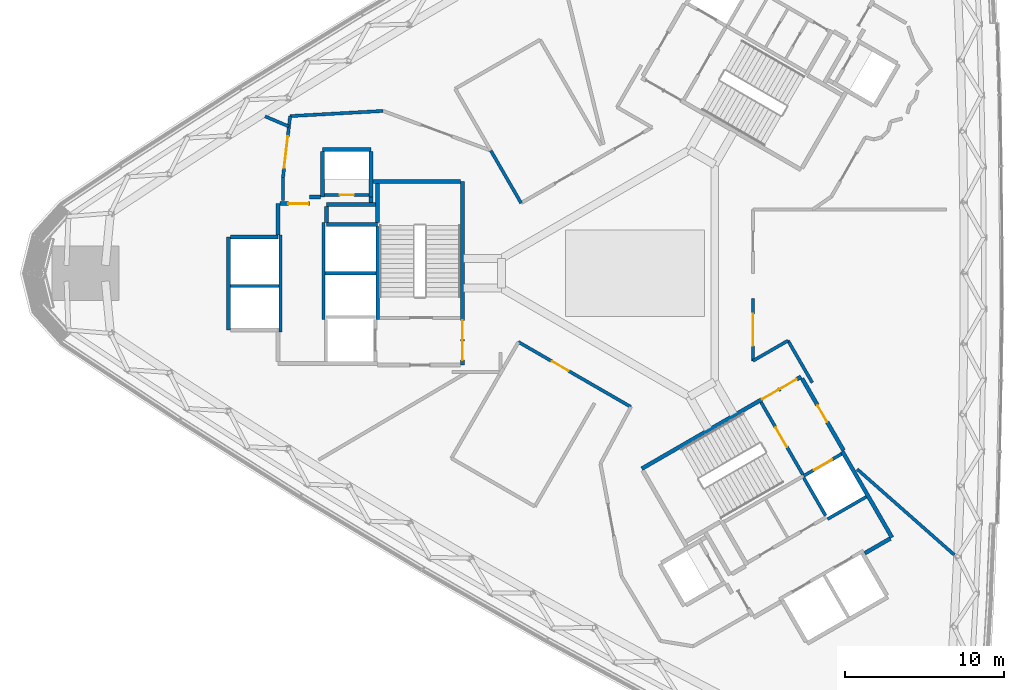
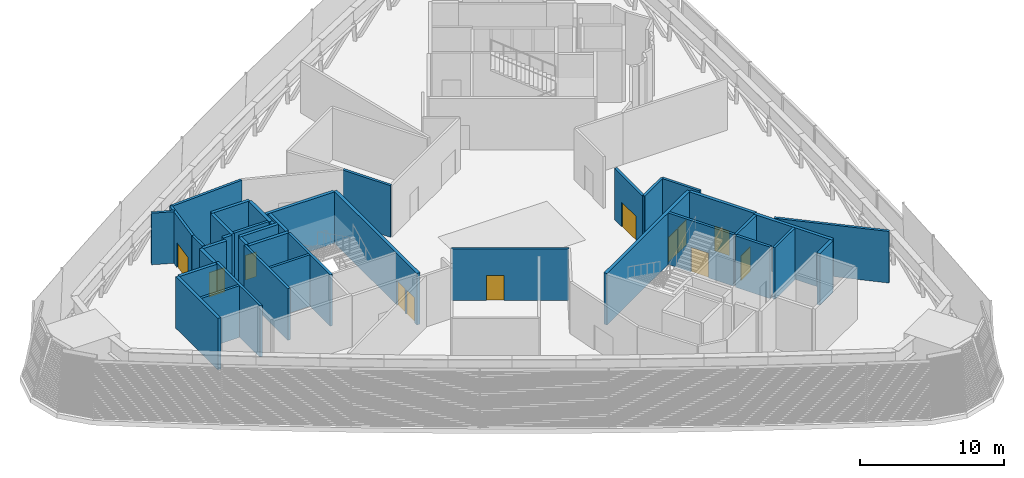
# One storey, part 13 of 19: 39 walls, 12 doors, 12 openings.
"""IFC4 building model written with IfcOpenShell, lengths in metres."""

from ifc_helpers import new_model, si_unit, direction, frame, frame_2d, origin, place, context, subcontext, project, spatial, rectangle, extrude, material, layer, layer_set, type_object, element, fill, save


model = new_model("IFC4")

# Units and contexts
model_context = context("Model", 3, precision=1e-05, world=origin(), true_north=direction((0.0, 1.0)))
body_context = subcontext(model_context, "Body", "Model", "MODEL_VIEW")
ifc_project = project(units=[si_unit("LENGTHUNIT", "METRE"), si_unit("AREAUNIT", "SQUARE_METRE"), si_unit("VOLUMEUNIT", "CUBIC_METRE"), si_unit("PLANEANGLEUNIT", "RADIAN"), si_unit("MASSUNIT", "GRAM", prefix="KILO")], contexts=[model_context])

# Site, building, storey
site_placement = place(None, origin())
site = spatial("IfcSite", under=ifc_project, at=site_placement, CompositionType="ELEMENT")
building_placement = place(site_placement, origin())
building = spatial("IfcBuilding", under=site, at=building_placement, Name="Tamra Quay Hotel Tower", CompositionType="ELEMENT")
storey_placement = place(building_placement, frame((0.0, 0.0, 74.60009765625)))
storey = spatial("IfcBuildingStorey", under=building, at=storey_placement, Name="L17", CompositionType="ELEMENT", Elevation=74.60009765625)

# Walls
ifc_material_1 = material(Name="Concrete M70", Category="concrete")
ifc_layer_1 = layer(ifc_material_1, 0.199951171875)
ifc_layer_set_1 = layer_set([ifc_layer_1], Name="Concrete M70 core wall 200")
wall_type_1 = type_object("IfcWallType", Name="Concrete M70 core wall 200", PredefinedType="SHEAR", material=ifc_layer_set_1)
wall_1_placement = place(storey_placement, frame((-16.162109375, 2.95068359375, 0.0), z_axis=(0.0, 0.0, 1.0), x_axis=(0.0, -1.0, 0.0)))
element("IfcWall", 1, at=wall_1_placement, inside=storey, type_object=wall_type_1, Name="CW2", PredefinedType="SHEAR", context=body_context, shape_type="SweptSolid", body=[
    extrude(rectangle(XDim=5.850830078125, YDim=0.199951171875, at=frame_2d((2.92529296875, 0.0))), origin(), (0.0, 0.0, 1.0), 4.375),
])
for number, where, z_axis, x_axis, name in (
    (2, (-19.5625, -2.900146484375, 0.0), (0.0, 0.0, 1.0), (0.0, 1.0, 0.0), "CW2"),
    (3, (-22.26220703125, 2.400146484375, 0.0), (0.0, 0.0, 1.0), (0.0, -1.0, 0.0), "CW2"),
):
    element("IfcWall", number, at=place(storey_placement, frame(where, z_axis=z_axis, x_axis=x_axis)), inside=storey, type_object=wall_type_1, Name=name, PredefinedType="SHEAR", context=body_context, shape_type="SweptSolid", body=[
        extrude(rectangle(XDim=6.100341796875, YDim=0.199951171875, at=frame_2d((3.05029296875, 0.0))), origin(), (0.0, 0.0, 1.0), 4.375),
    ])
wall_2_placement = place(storey_placement, frame((-16.26318359375, 0.0, 0.0), z_axis=(0.0, 0.0, 1.0), x_axis=(-1.0, 0.0, 0.0)))
element("IfcWall", 4, at=wall_2_placement, inside=storey, type_object=wall_type_1, Name="CW2", PredefinedType="SHEAR", context=body_context, shape_type="SweptSolid", body=[
    extrude(rectangle(XDim=3.1982421875, YDim=0.199951171875, at=frame_2d((1.59912109375, 0.0))), origin(), (0.0, 0.0, 1.0), 4.375),
])
wall_3_placement = place(storey_placement, frame((-22.36328125, -0.800048828125, 0.0), z_axis=(0.0, 0.0, 1.0), x_axis=(-1.0, 0.0, 0.0)))
element("IfcWall", 5, at=wall_3_placement, inside=storey, type_object=wall_type_1, Name="CW2", PredefinedType="SHEAR", context=body_context, shape_type="SweptSolid", body=[
    extrude(rectangle(XDim=3.048095703125, YDim=0.199951171875, at=frame_2d((1.52392578125, 0.0))), origin(), (0.0, 0.0, 1.0), 4.375),
])

# Wall, opening, door
wall_4_placement = place(storey_placement, frame((-19.51123046875, 4.91015625, 0.0), z_axis=(0.0, 0.0, 1.0), x_axis=(1.0, 0.0, 0.0)))
wall_4 = element("IfcWall", 6, at=wall_4_placement, inside=storey, type_object=wall_type_1, Name="CW2", PredefinedType="SHEAR", context=body_context, shape_type="SweptSolid", body=[
    extrude(rectangle(XDim=2.7978515625, YDim=0.199951171875, at=frame_2d((1.39892578125, 0.0))), origin(), (0.0, 0.0, 1.0), 4.375),
])
opening_1_placement = place(wall_4_placement, frame((0.948974609375, 0.0, 0.0)))
opening_1 = element("IfcOpeningElement", 7, at=opening_1_placement, cuts=wall_4, Name="Opening D1", PredefinedType="OPENING", context=body_context, shape_type="SweptSolid", body=[
    extrude(rectangle(XDim=0.89990234375, YDim=2.10009765625, at=frame_2d((0.449951171875, 1.050048828125))), frame((0.0, 0.10986328125, 0.0), z_axis=(0.0, -1.0, 0.0), x_axis=(1.0, 0.0, 0.0)), (0.0, 0.0, 1.0), 0.219970703125),
])
ifc_material_2 = material(Name="Core door D1 900x2100 RH")
door_type_1 = type_object("IfcDoorType", Name="Core door D1 900x2100 RH", OperationType="NOTDEFINED", PredefinedType="DOOR", material=ifc_material_2)
door_1_placement = place(opening_1_placement, origin())
door_1 = element("IfcDoor", 8, at=door_1_placement, inside=storey, type_object=door_type_1, Name="D1", OperationType="SINGLE_SWING_RIGHT", OverallHeight=2.10009765625, OverallWidth=0.89990234375, PredefinedType="DOOR", context=body_context, shape_type="SweptSolid", body=[
    extrude(rectangle(XDim=0.89990234375, YDim=2.10009765625, at=frame_2d((0.449951171875, 1.050048828125))), frame((0.0, 0.02490234375, 0.0), z_axis=(0.0, -1.0, 0.0), x_axis=(1.0, 0.0, 0.0)), (0.0, 0.0, 1.0), 0.050048828125),
])
fill(opening_1, door_1)

wall_5_placement = place(storey_placement, frame((7.906494140625, -8.094482421875, 0.0), z_axis=(0.0, 0.0, 1.0), x_axis=(0.500024287448, -0.866011380966, 0.0)))
wall_5 = element("IfcWall", 9, at=wall_5_placement, inside=storey, type_object=wall_type_1, Name="CW2", PredefinedType="SHEAR", context=body_context, shape_type="SweptSolid", body=[
    extrude(rectangle(XDim=5.251220703125, YDim=0.199951171875, at=frame_2d((2.62548828125, 0.0))), origin(), (0.0, 0.0, 1.0), 4.375),
])
opening_2_placement = place(wall_5_placement, frame((1.84912109375, 0.0, 0.0)))
opening_2 = element("IfcOpeningElement", 10, at=opening_2_placement, cuts=wall_5, Name="Opening FD2", PredefinedType="OPENING", context=body_context, shape_type="SweptSolid", body=[
    extrude(rectangle(XDim=1.39990234375, YDim=2.10009765625, at=frame_2d((0.699951171875, 1.050048828125))), frame((0.0, 0.10986328125, 0.0), z_axis=(0.0, -1.0, 0.0), x_axis=(1.0, 0.0, 0.0)), (0.0, 0.0, 1.0), 0.219970703125),
])
ifc_material_3 = material(Name="Core door FD2 1400x2100 RH")
door_type_2 = type_object("IfcDoorType", Name="Core door FD2 1400x2100 RH", OperationType="NOTDEFINED", PredefinedType="DOOR", material=ifc_material_3)
door_2_placement = place(opening_2_placement, origin())
door_2 = element("IfcDoor", 11, at=door_2_placement, inside=storey, type_object=door_type_2, Name="FD2", OperationType="SINGLE_SWING_RIGHT", OverallHeight=2.10009765625, OverallWidth=1.39990234375, PredefinedType="DOOR", context=body_context, shape_type="SweptSolid", body=[
    extrude(rectangle(XDim=1.39990234375, YDim=2.10009765625, at=frame_2d((0.699951171875, 1.050048828125))), frame((0.0, 0.02490234375, 0.0), z_axis=(0.0, -1.0, 0.0), x_axis=(1.0, 0.0, 0.0)), (0.0, 0.0, 1.0), 0.050048828125),
])
fill(opening_2, door_2)

# Wall
wall_6_placement = place(storey_placement, frame((11.962646484375, -15.219970703125, 0.0), z_axis=(0.0, 0.0, 1.0), x_axis=(-0.500034990121, 0.866005201286, 0.0)))
element("IfcWall", 12, at=wall_6_placement, inside=storey, type_object=wall_type_1, Name="CW2", PredefinedType="SHEAR", context=body_context, shape_type="SweptSolid", body=[
    extrude(rectangle(XDim=2.749755859375, YDim=0.199951171875, at=frame_2d((1.375, 0.0))), origin(), (0.0, 0.0, 1.0), 4.375),
])

# Wall, opening, door
wall_7_placement = place(storey_placement, frame((10.587158203125, -12.72314453125, 0.0), z_axis=(0.0, 0.0, 1.0), x_axis=(0.866037306777, 0.499979382845, 0.0)))
wall_7 = element("IfcWall", 13, at=wall_7_placement, inside=storey, type_object=wall_type_1, Name="CW2", PredefinedType="SHEAR", context=body_context, shape_type="SweptSolid", body=[
    extrude(rectangle(XDim=2.74169921875, YDim=0.199951171875, at=frame_2d((1.370849609375, 0.0))), origin(), (0.0, 0.0, 1.0), 4.375),
])
opening_3_placement = place(wall_7_placement, frame((0.742919921875, 0.0, 0.0)))
opening_3 = element("IfcOpeningElement", 14, at=opening_3_placement, cuts=wall_7, Name="Opening LD", PredefinedType="OPENING", context=body_context, shape_type="SweptSolid", body=[
    extrude(rectangle(XDim=1.300048828125, YDim=2.10009765625, at=frame_2d((0.64990234375, 1.050048828125))), frame((0.0, 0.10986328125, 0.0), z_axis=(0.0, -1.0, 0.0), x_axis=(1.0, 0.0, 0.0)), (0.0, 0.0, 1.0), 0.219970703125),
])
ifc_material_4 = material(Name="Landing door LD 1300 sliding to right")
door_type_3 = type_object("IfcDoorType", Name="Landing door LD 1300 sliding to right", OperationType="NOTDEFINED", PredefinedType="DOOR", material=ifc_material_4)
door_3_placement = place(opening_3_placement, origin())
door_3 = element("IfcDoor", 15, at=door_3_placement, inside=storey, type_object=door_type_3, Name="LD", OperationType="SLIDING_TO_RIGHT", OverallHeight=2.10009765625, OverallWidth=1.300048828125, PredefinedType="DOOR", context=body_context, shape_type="SweptSolid", body=[
    extrude(rectangle(XDim=1.300048828125, YDim=2.10009765625, at=frame_2d((0.64990234375, 1.050048828125))), frame((0.0, 0.02490234375, 0.0), z_axis=(0.0, -1.0, 0.0), x_axis=(1.0, 0.0, 0.0)), (0.0, 0.0, 1.0), 0.050048828125),
])
fill(opening_3, door_3)

# Wall
wall_8_placement = place(storey_placement, frame((14.51171875, -14.037109375, 0.0), z_axis=(0.0, 0.0, 1.0), x_axis=(-0.866044696403, -0.499966582715, 0.0)))
element("IfcWall", 16, at=wall_8_placement, inside=storey, type_object=wall_type_1, Name="CW2", PredefinedType="SHEAR", context=body_context, shape_type="SweptSolid", body=[
    extrude(rectangle(XDim=2.799072265625, YDim=0.199951171875, at=frame_2d((1.3994140625, 0.0))), origin(), (0.0, 0.0, 1.0), 4.375),
])

# Wall, openings, doors
ifc_layer_2 = layer(ifc_material_1, 0.25)
ifc_layer_set_2 = layer_set([ifc_layer_2], Name="Concrete M70 core wall 250")
wall_type_2 = type_object("IfcWallType", Name="Concrete M70 core wall 250", PredefinedType="SHEAR", material=ifc_layer_set_2)
wall_9_placement = place(storey_placement, frame((-10.83740234375, 5.77490234375, 0.0), z_axis=(0.0, 0.0, 1.0), x_axis=(0.0, -1.0, 0.0)))
wall_9 = element("IfcWall", 17, at=wall_9_placement, inside=storey, type_object=wall_type_2, Name="CW1", PredefinedType="SHEAR", context=body_context, shape_type="SweptSolid", body=[
    extrude(rectangle(XDim=11.5498046875, YDim=0.25, at=frame_2d((5.77490234375, 0.0))), origin(), (0.0, 0.0, 1.0), 4.375),
])
opening_4_placement = place(wall_9_placement, frame((10.02490234375, 0.0, 0.0)))
opening_4 = element("IfcOpeningElement", 18, at=opening_4_placement, cuts=wall_9, Name="Opening FD1", PredefinedType="OPENING", context=body_context, shape_type="SweptSolid", body=[
    extrude(rectangle(XDim=1.199951171875, YDim=2.10009765625, at=frame_2d((0.60009765625, 1.050048828125))), frame((0.0, 0.135009765625, 0.0), z_axis=(0.0, -1.0, 0.0), x_axis=(1.0, 0.0, 0.0)), (0.0, 0.0, 1.0), 0.27001953125),
])
opening_5_placement = place(wall_9_placement, frame((8.72509765625, 0.0, 0.0)))
opening_5 = element("IfcOpeningElement", 19, at=opening_5_placement, cuts=wall_9, Name="Opening FD1", PredefinedType="OPENING", context=body_context, shape_type="SweptSolid", body=[
    extrude(rectangle(XDim=1.199951171875, YDim=2.10009765625, at=frame_2d((0.60009765625, 1.050048828125))), frame((0.0, 0.135009765625, 0.0), z_axis=(0.0, -1.0, 0.0), x_axis=(1.0, 0.0, 0.0)), (0.0, 0.0, 1.0), 0.27001953125),
])
ifc_material_5 = material(Name="Core door FD1 1200x2100 LH")
door_type_4 = type_object("IfcDoorType", Name="Core door FD1 1200x2100 LH", OperationType="NOTDEFINED", PredefinedType="DOOR", material=ifc_material_5)
door_4_placement = place(opening_4_placement, origin())
door_4 = element("IfcDoor", 20, at=door_4_placement, inside=storey, type_object=door_type_4, Name="FD1", OperationType="SINGLE_SWING_LEFT", OverallHeight=2.10009765625, OverallWidth=1.199951171875, PredefinedType="DOOR", context=body_context, shape_type="SweptSolid", body=[
    extrude(rectangle(XDim=1.199951171875, YDim=2.10009765625, at=frame_2d((0.60009765625, 1.050048828125))), frame((0.0, 0.02490234375, 0.0), z_axis=(0.0, -1.0, 0.0), x_axis=(1.0, 0.0, 0.0)), (0.0, 0.0, 1.0), 0.050048828125),
])
fill(opening_4, door_4)
ifc_material_6 = material(Name="Core door FD1 1200x2100 RH")
door_type_5 = type_object("IfcDoorType", Name="Core door FD1 1200x2100 RH", OperationType="NOTDEFINED", PredefinedType="DOOR", material=ifc_material_6)
door_5_placement = place(opening_5_placement, origin())
door_5 = element("IfcDoor", 21, at=door_5_placement, inside=storey, type_object=door_type_5, Name="FD1", OperationType="SINGLE_SWING_RIGHT", OverallHeight=2.10009765625, OverallWidth=1.199951171875, PredefinedType="DOOR", context=body_context, shape_type="SweptSolid", body=[
    extrude(rectangle(XDim=1.199951171875, YDim=2.10009765625, at=frame_2d((0.60009765625, 1.050048828125))), frame((0.0, 0.02490234375, 0.0), z_axis=(0.0, -1.0, 0.0), x_axis=(1.0, 0.0, 0.0)), (0.0, 0.0, 1.0), 0.050048828125),
])
fill(opening_5, door_5)

# Walls
wall_10_placement = place(storey_placement, frame((-25.537353515625, -3.574951171875, 0.0), z_axis=(0.0, 0.0, 1.0), x_axis=(0.0, 1.0, 0.0)))
element("IfcWall", 22, at=wall_10_placement, inside=storey, type_object=wall_type_2, Name="CW1", PredefinedType="SHEAR", context=body_context, shape_type="SweptSolid", body=[
    extrude(rectangle(XDim=5.849853515625, YDim=0.25, at=frame_2d((2.9248046875, 0.0))), origin(), (0.0, 0.0, 1.0), 4.375),
])
wall_11_placement = place(storey_placement, frame((-16.47216796875, 5.77490234375, 0.0), z_axis=(0.0, 0.0, 1.0), x_axis=(1.0, 0.0, 0.0)))
element("IfcWall", 23, at=wall_11_placement, inside=storey, type_object=wall_type_2, Name="CW1", PredefinedType="SHEAR", context=body_context, shape_type="SweptSolid", body=[
    extrude(rectangle(XDim=5.509521484375, YDim=0.25, at=frame_2d((2.7548828125, 0.0))), origin(), (0.0, 0.0, 1.0), 4.375),
])
wall_12_placement = place(storey_placement, frame((-19.38720703125, 3.074951171875, 0.0), z_axis=(0.0, 0.0, 1.0), x_axis=(1.0, 0.0, 0.0)))
element("IfcWall", 24, at=wall_12_placement, inside=storey, type_object=wall_type_2, Name="CW1", PredefinedType="SHEAR", context=body_context, shape_type="SweptSolid", body=[
    extrude(rectangle(XDim=3.199951171875, YDim=0.25, at=frame_2d((1.60009765625, 0.0))), origin(), (0.0, 0.0, 1.0), 4.375),
])
wall_13_placement = place(storey_placement, frame((-25.411865234375, 2.27490234375, 0.0), z_axis=(0.0, 0.0, 1.0), x_axis=(1.0, 0.0, 0.0)))
element("IfcWall", 25, at=wall_13_placement, inside=storey, type_object=wall_type_2, Name="CW1", PredefinedType="SHEAR", context=body_context, shape_type="SweptSolid", body=[
    extrude(rectangle(XDim=2.974609375, YDim=0.25, at=frame_2d((1.4873046875, 0.0))), origin(), (0.0, 0.0, 1.0), 4.375),
])
wall_14_placement = place(storey_placement, frame((-19.63720703125, 7.77490234375, 0.0), z_axis=(0.0, 0.0, 1.0), x_axis=(1.0, 0.0, 0.0)))
element("IfcWall", 26, at=wall_14_placement, inside=storey, type_object=wall_type_2, Name="CW1", PredefinedType="SHEAR", context=body_context, shape_type="SweptSolid", body=[
    extrude(rectangle(XDim=3.0498046875, YDim=0.25, at=frame_2d((1.52490234375, 0.0))), origin(), (0.0, 0.0, 1.0), 4.375),
])
for number, where, z_axis, x_axis, name in (
    (27, (-16.58740234375, 7.649658203125, 0.0), (0.0, 0.0, 1.0), (0.0, -1.0, 0.0), "CW1"),
    (28, (-19.63720703125, 4.784912109375, 0.0), (0.0, 0.0, 1.0), (0.0, 1.0, 0.0), "CW1"),
):
    element("IfcWall", number, at=place(storey_placement, frame(where, z_axis=z_axis, x_axis=x_axis)), inside=storey, type_object=wall_type_2, Name=name, PredefinedType="SHEAR", context=body_context, shape_type="SweptSolid", body=[
        extrude(rectangle(XDim=2.86474609375, YDim=0.25, at=frame_2d((1.432373046875, 0.0))), origin(), (0.0, 0.0, 1.0), 4.375),
    ])
wall_15_placement = place(storey_placement, frame((-16.30224609375, 4.31494140625, 0.0), z_axis=(0.0, 0.0, 1.0), x_axis=(-1.0, 0.0, 0.0)))
element("IfcWall", 29, at=wall_15_placement, inside=storey, type_object=wall_type_2, Name="CW1", PredefinedType="SHEAR", context=body_context, shape_type="SweptSolid", body=[
    extrude(rectangle(XDim=3.0849609375, YDim=0.25, at=frame_2d((1.54248046875, 0.0))), origin(), (0.0, 0.0, 1.0), 4.375),
])
wall_16_placement = place(storey_placement, frame((-16.187255859375, 3.200439453125, 0.0), z_axis=(0.0, 0.0, 1.0), x_axis=(0.0, 1.0, 0.0)))
element("IfcWall", 30, at=wall_16_placement, inside=storey, type_object=wall_type_2, Name="CW1", PredefinedType="SHEAR", context=body_context, shape_type="SweptSolid", body=[
    extrude(rectangle(XDim=2.44921875, YDim=0.25, at=frame_2d((1.224609375, 0.0))), origin(), (0.0, 0.0, 1.0), 4.375),
])
wall_17_placement = place(storey_placement, frame((-22.437255859375, 2.400390625, 0.0), z_axis=(0.0, 0.0, 1.0), x_axis=(0.0, 1.0, 0.0)))
element("IfcWall", 31, at=wall_17_placement, inside=storey, type_object=wall_type_2, Name="CW1", PredefinedType="SHEAR", context=body_context, shape_type="SweptSolid", body=[
    extrude(rectangle(XDim=1.974609375, YDim=0.25, at=frame_2d((0.9873046875, 0.0))), origin(), (0.0, 0.0, 1.0), 4.375),
])

# Wall, opening, door
wall_18_placement = place(storey_placement, frame((-22.311767578125, 4.375, 0.0), z_axis=(0.0, 0.0, 1.0), x_axis=(1.0, 0.0, 0.0)))
wall_18 = element("IfcWall", 32, at=wall_18_placement, inside=storey, type_object=wall_type_2, Name="CW1", PredefinedType="SHEAR", context=body_context, shape_type="SweptSolid", body=[
    extrude(rectangle(XDim=1.864501953125, YDim=0.25, at=frame_2d((0.93212890625, 0.0))), origin(), (0.0, 0.0, 1.0), 4.375),
])
opening_6_placement = place(wall_18_placement, frame((0.53466796875, 0.0, 0.0)))
opening_6 = element("IfcOpeningElement", 33, at=opening_6_placement, cuts=wall_18, Name="Opening FD3", PredefinedType="OPENING", context=body_context, shape_type="SweptSolid", body=[
    extrude(rectangle(XDim=1.25, YDim=2.10009765625, at=frame_2d((0.625, 1.050048828125))), frame((0.0, 0.135009765625, 0.0), z_axis=(0.0, -1.0, 0.0), x_axis=(1.0, 0.0, 0.0)), (0.0, 0.0, 1.0), 0.27001953125),
])
ifc_material_7 = material(Name="Core door FD3 1250x2100 LH")
door_type_6 = type_object("IfcDoorType", Name="Core door FD3 1250x2100 LH", OperationType="NOTDEFINED", PredefinedType="DOOR", material=ifc_material_7)
door_6_placement = place(opening_6_placement, origin())
door_6 = element("IfcDoor", 34, at=door_6_placement, inside=storey, type_object=door_type_6, Name="FD3", OperationType="SINGLE_SWING_LEFT", OverallHeight=2.10009765625, OverallWidth=1.25, PredefinedType="DOOR", context=body_context, shape_type="SweptSolid", body=[
    extrude(rectangle(XDim=1.25, YDim=2.10009765625, at=frame_2d((0.625, 1.050048828125))), frame((0.0, 0.02490234375, 0.0), z_axis=(0.0, -1.0, 0.0), x_axis=(1.0, 0.0, 0.0)), (0.0, 0.0, 1.0), 0.050048828125),
])
fill(opening_6, door_6)

# Walls
wall_19_placement = place(storey_placement, frame((-19.38720703125, 4.189697265625, 0.0), z_axis=(0.0, 0.0, 1.0), x_axis=(0.0, -1.0, 0.0)))
element("IfcWall", 35, at=wall_19_placement, inside=storey, type_object=wall_type_2, Name="CW1", PredefinedType="SHEAR", context=body_context, shape_type="SweptSolid", body=[
    extrude(rectangle(XDim=0.9892578125, YDim=0.25, at=frame_2d((0.49462890625, 0.0))), origin(), (0.0, 0.0, 1.0), 4.375),
])
wall_20_placement = place(storey_placement, frame((-20.447265625, 4.784912109375, 0.0), z_axis=(0.0, 0.0, 1.0), x_axis=(1.0, 0.0, 0.0)))
element("IfcWall", 36, at=wall_20_placement, inside=storey, type_object=wall_type_2, Name="CW1", PredefinedType="SHEAR", context=body_context, shape_type="SweptSolid", body=[
    extrude(rectangle(XDim=0.6845703125, YDim=0.25, at=frame_2d((0.34228515625, 0.0))), origin(), (0.0, 0.0, 1.0), 4.375),
])
wall_21_placement = place(storey_placement, frame((-16.577392578125, 4.784912109375, 0.0), z_axis=(0.0, 0.0, 1.0), x_axis=(0.0, -1.0, 0.0)))
element("IfcWall", 37, at=wall_21_placement, inside=storey, type_object=wall_type_2, Name="CW1", PredefinedType="SHEAR", context=body_context, shape_type="SweptSolid", body=[
    extrude(rectangle(XDim=0.344482421875, YDim=0.25, at=frame_2d((0.17236328125, 0.0))), origin(), (0.0, 0.0, 1.0), 4.375),
])

# Wall, openings, doors
wall_22_placement = place(storey_placement, frame((0.417236328125, -12.27294921875, 0.0), z_axis=(0.0, 0.0, 1.0), x_axis=(0.866021906294, 0.500006057782, 0.0)))
wall_22 = element("IfcWall", 38, at=wall_22_placement, inside=storey, type_object=wall_type_2, Name="CW1", PredefinedType="SHEAR", context=body_context, shape_type="SweptSolid", body=[
    extrude(rectangle(XDim=11.550048828125, YDim=0.25, at=frame_2d((5.77490234375, 0.0))), origin(), (0.0, 0.0, 1.0), 4.375),
])
opening_7_placement = place(wall_22_placement, frame((10.024658203125, 0.0, 0.0)))
opening_7 = element("IfcOpeningElement", 39, at=opening_7_placement, cuts=wall_22, Name="Opening FD1", PredefinedType="OPENING", context=body_context, shape_type="SweptSolid", body=[
    extrude(rectangle(XDim=1.199951171875, YDim=2.10009765625, at=frame_2d((0.60009765625, 1.050048828125))), frame((0.0, 0.135009765625, 0.0), z_axis=(0.0, -1.0, 0.0), x_axis=(1.0, 0.0, 0.0)), (0.0, 0.0, 1.0), 0.27001953125),
])
opening_8_placement = place(wall_22_placement, frame((8.724609375, 0.0, 0.0)))
opening_8 = element("IfcOpeningElement", 40, at=opening_8_placement, cuts=wall_22, Name="Opening FD1", PredefinedType="OPENING", context=body_context, shape_type="SweptSolid", body=[
    extrude(rectangle(XDim=1.199951171875, YDim=2.10009765625, at=frame_2d((0.60009765625, 1.050048828125))), frame((0.0, 0.135009765625, 0.0), z_axis=(0.0, -1.0, 0.0), x_axis=(1.0, 0.0, 0.0)), (0.0, 0.0, 1.0), 0.27001953125),
])
door_7_placement = place(opening_7_placement, origin())
door_7 = element("IfcDoor", 41, at=door_7_placement, inside=storey, type_object=door_type_4, Name="FD1", OperationType="SINGLE_SWING_LEFT", OverallHeight=2.10009765625, OverallWidth=1.199951171875, PredefinedType="DOOR", context=body_context, shape_type="SweptSolid", body=[
    extrude(rectangle(XDim=1.199951171875, YDim=2.10009765625, at=frame_2d((0.60009765625, 1.050048828125))), frame((0.0, 0.02490234375, 0.0), z_axis=(0.0, -1.0, 0.0), x_axis=(1.0, 0.0, 0.0)), (0.0, 0.0, 1.0), 0.050048828125),
])
fill(opening_7, door_7)
door_8_placement = place(opening_8_placement, origin())
door_8 = element("IfcDoor", 42, at=door_8_placement, inside=storey, type_object=door_type_5, Name="FD1", OperationType="SINGLE_SWING_RIGHT", OverallHeight=2.10009765625, OverallWidth=1.199951171875, PredefinedType="DOOR", context=body_context, shape_type="SweptSolid", body=[
    extrude(rectangle(XDim=1.199951171875, YDim=2.10009765625, at=frame_2d((0.60009765625, 1.050048828125))), frame((0.0, 0.02490234375, 0.0), z_axis=(0.0, -1.0, 0.0), x_axis=(1.0, 0.0, 0.0)), (0.0, 0.0, 1.0), 0.050048828125),
])
fill(opening_8, door_8)

# Wall
wall_23_placement = place(storey_placement, frame((13.00830078125, -11.18115234375, 0.0), z_axis=(0.0, 0.0, 1.0), x_axis=(0.500004234368, -0.866022959057, 0.0)))
element("IfcWall", 43, at=wall_23_placement, inside=storey, type_object=wall_type_2, Name="CW1", PredefinedType="SHEAR", context=body_context, shape_type="SweptSolid", body=[
    extrude(rectangle(XDim=6.25, YDim=0.25, at=frame_2d((3.125, 0.0))), origin(), (0.0, 0.0, 1.0), 4.375),
])

# Wall, opening, door
wall_24_placement = place(storey_placement, frame((10.482666015625, -6.6064453125, 0.0), z_axis=(0.0, 0.0, 1.0), x_axis=(0.49999885962, -0.866026062182, 0.0)))
wall_24 = element("IfcWall", 44, at=wall_24_placement, inside=storey, type_object=wall_type_2, Name="CW1", PredefinedType="SHEAR", context=body_context, shape_type="SweptSolid", body=[
    extrude(rectangle(XDim=5.224609375, YDim=0.25, at=frame_2d((2.6123046875, 0.0))), origin(), (0.0, 0.0, 1.0), 4.375),
])
opening_9_placement = place(wall_24_placement, frame((1.94970703125, 0.0, 0.0)))
opening_9 = element("IfcOpeningElement", 45, at=opening_9_placement, cuts=wall_24, Name="Opening D2", PredefinedType="OPENING", context=body_context, shape_type="SweptSolid", body=[
    extrude(rectangle(XDim=1.199951171875, YDim=2.10009765625, at=frame_2d((0.60009765625, 1.050048828125))), frame((0.0, 0.135009765625, 0.0), z_axis=(0.0, -1.0, 0.0), x_axis=(1.0, 0.0, 0.0)), (0.0, 0.0, 1.0), 0.27001953125),
])
ifc_material_8 = material(Name="Core door D2 1200x2100 LH")
door_type_7 = type_object("IfcDoorType", Name="Core door D2 1200x2100 LH", OperationType="NOTDEFINED", PredefinedType="DOOR", material=ifc_material_8)
door_9_placement = place(opening_9_placement, origin())
door_9 = element("IfcDoor", 46, at=door_9_placement, inside=storey, type_object=door_type_7, Name="D2", OperationType="SINGLE_SWING_LEFT", OverallHeight=2.10009765625, OverallWidth=1.199951171875, PredefinedType="DOOR", context=body_context, shape_type="SweptSolid", body=[
    extrude(rectangle(XDim=1.199951171875, YDim=2.10009765625, at=frame_2d((0.60009765625, 1.050048828125))), frame((0.0, 0.02490234375, 0.0), z_axis=(0.0, -1.0, 0.0), x_axis=(1.0, 0.0, 0.0)), (0.0, 0.0, 1.0), 0.050048828125),
])
fill(opening_9, door_9)

# Walls
wall_25_placement = place(storey_placement, frame((16.024658203125, -16.656494140625, 0.0), z_axis=(0.0, 0.0, 1.0), x_axis=(-0.866016279763, -0.500015802937, 0.0)))
element("IfcWall", 47, at=wall_25_placement, inside=storey, type_object=wall_type_2, Name="CW1", PredefinedType="SHEAR", context=body_context, shape_type="SweptSolid", body=[
    extrude(rectangle(XDim=1.84912109375, YDim=0.25, at=frame_2d((0.924560546875, 0.0))), origin(), (0.0, 0.0, 1.0), 4.375),
])
ifc_material_9 = material(Name="Partition corridor wall")
ifc_layer_3 = layer(ifc_material_9, 0.199951171875)
ifc_layer_set_3 = layer_set([ifc_layer_3], Name="Partition corridor wall")
wall_type_3 = type_object("IfcWallType", Name="Partition corridor wall", PredefinedType="PARTITIONING", material=ifc_layer_set_3)
wall_26_placement = place(storey_placement, frame((-22.112060546875, 4.56005859375, 0.0), z_axis=(0.0, 0.0, 1.0), x_axis=(0.0, 1.0, 0.0)))
element("IfcWall", 48, at=wall_26_placement, inside=storey, type_object=wall_type_3, Name="W-C", PredefinedType="PARTITIONING", context=body_context, shape_type="SweptSolid", body=[
    extrude(rectangle(XDim=1.458984375, YDim=0.199951171875, at=frame_2d((0.7294921875, 0.0))), origin(), (0.0, 0.0, 1.0), 4.375),
])

# Wall, opening, door
wall_27_placement = place(storey_placement, frame((-22.112060546875, 6.01904296875, 0.0), z_axis=(0.0, 0.0, 1.0), x_axis=(0.115434387341, 0.993315107214, 0.0)))
wall_27 = element("IfcWall", 49, at=wall_27_placement, inside=storey, type_object=wall_type_3, Name="W-C", PredefinedType="PARTITIONING", context=body_context, shape_type="SweptSolid", body=[
    extrude(rectangle(XDim=3.876708984375, YDim=0.199951171875, at=frame_2d((1.9384765625, 0.0))), origin(), (0.0, 0.0, 1.0), 4.375),
])
opening_10_placement = place(wall_27_placement, frame((0.61083984375, 0.0, 0.0)))
opening_10 = element("IfcOpeningElement", 50, at=opening_10_placement, cuts=wall_27, Name="Opening L17-D002", PredefinedType="OPENING", context=body_context, shape_type="SweptSolid", body=[
    extrude(rectangle(XDim=2.0, YDim=2.10009765625, at=frame_2d((1.0, 1.050048828125))), frame((0.0, 0.10986328125, 0.0), z_axis=(0.0, -1.0, 0.0), x_axis=(1.0, 0.0, 0.0)), (0.0, 0.0, 1.0), 0.219970703125),
])
ifc_material_10 = material(Name="Door double leaf 2000x2100")
door_type_8 = type_object("IfcDoorType", Name="Door double leaf 2000x2100", OperationType="DOUBLE_DOOR_SINGLE_SWING", PredefinedType="DOOR", material=ifc_material_10)
door_10_placement = place(opening_10_placement, origin())
door_10 = element("IfcDoor", 51, at=door_10_placement, inside=storey, type_object=door_type_8, Name="L17-D002", OperationType="DOUBLE_DOOR_SINGLE_SWING", OverallHeight=2.10009765625, OverallWidth=2.0, PredefinedType="DOOR", context=body_context, shape_type="SweptSolid", body=[
    extrude(rectangle(XDim=2.0, YDim=2.10009765625, at=frame_2d((1.0, 1.050048828125))), frame((0.0, 0.02490234375, 0.0), z_axis=(0.0, -1.0, 0.0), x_axis=(1.0, 0.0, 0.0)), (0.0, 0.0, 1.0), 0.050048828125),
])
fill(opening_10, door_10)

# Walls
wall_28_placement = place(storey_placement, frame((-21.6650390625, 9.8701171875, 0.0), z_axis=(0.0, 0.0, 1.0), x_axis=(0.998469855585, 0.055298711443, 0.0)))
element("IfcWall", 52, at=wall_28_placement, inside=storey, type_object=wall_type_3, Name="W-C", PredefinedType="PARTITIONING", context=body_context, shape_type="SweptSolid", body=[
    extrude(rectangle(XDim=5.841064453125, YDim=0.199951171875, at=frame_2d((2.92041015625, 0.0))), origin(), (0.0, 0.0, 1.0), 4.375),
])
wall_29_placement = place(storey_placement, frame((-9.06298828125, 7.7041015625, 0.0), z_axis=(0.0, 0.0, 1.0), x_axis=(0.500039125473, -0.866002813504, 0.0)))
element("IfcWall", 53, at=wall_29_placement, inside=storey, type_object=wall_type_3, Name="W-C", PredefinedType="PARTITIONING", context=body_context, shape_type="SweptSolid", body=[
    extrude(rectangle(XDim=3.803955078125, YDim=0.199951171875, at=frame_2d((1.90185546875, 0.0))), origin(), (0.0, 0.0, 1.0), 4.375),
])

# Wall, opening, door
wall_30_placement = place(storey_placement, frame((-7.33349609375, -4.31201171875, 0.0), z_axis=(0.0, 0.0, 1.0), x_axis=(0.866077499718, -0.499909756339, 0.0)))
wall_30 = element("IfcWall", 54, at=wall_30_placement, inside=storey, type_object=wall_type_3, Name="W-C", PredefinedType="PARTITIONING", context=body_context, shape_type="SweptSolid", body=[
    extrude(rectangle(XDim=8.16162109375, YDim=0.199951171875, at=frame_2d((4.080810546875, 0.0))), origin(), (0.0, 0.0, 1.0), 4.375),
])
opening_11_placement = place(wall_30_placement, frame((2.4384765625, 0.0, 0.0)))
opening_11 = element("IfcOpeningElement", 55, at=opening_11_placement, cuts=wall_30, Name="Opening L17-D009", PredefinedType="OPENING", context=body_context, shape_type="SweptSolid", body=[
    extrude(rectangle(XDim=1.199951171875, YDim=2.10009765625, at=frame_2d((0.60009765625, 1.050048828125))), frame((0.0, 0.10986328125, 0.0), z_axis=(0.0, -1.0, 0.0), x_axis=(1.0, 0.0, 0.0)), (0.0, 0.0, 1.0), 0.219970703125),
])
ifc_material_11 = material(Name="Door fire rated 1200x2100")
door_type_9 = type_object("IfcDoorType", Name="Door fire rated 1200x2100", OperationType="NOTDEFINED", PredefinedType="DOOR", material=ifc_material_11)
door_11_placement = place(opening_11_placement, frame((1.199951171875, 0.0, 0.0), z_axis=(0.0, 0.0, 1.0), x_axis=(-1.0, 0.0, 0.0)))
door_11 = element("IfcDoor", 56, at=door_11_placement, inside=storey, type_object=door_type_9, Name="L17-D009", OperationType="SINGLE_SWING_LEFT", OverallHeight=2.10009765625, OverallWidth=1.199951171875, PredefinedType="DOOR", context=body_context, shape_type="SweptSolid", body=[
    extrude(rectangle(XDim=1.199951171875, YDim=2.10009765625, at=frame_2d((0.60009765625, 1.050048828125))), frame((0.0, 0.02490234375, 0.0), z_axis=(0.0, -1.0, 0.0), x_axis=(1.0, 0.0, 0.0)), (0.0, 0.0, 1.0), 0.050048828125),
])
fill(opening_11, door_11)

wall_31_placement = place(storey_placement, frame((7.39990234375, -5.4990234375, 0.0), z_axis=(0.0, 0.0, 1.0), x_axis=(0.0, 1.0, 0.0)))
wall_31 = element("IfcWall", 57, at=wall_31_placement, inside=storey, type_object=wall_type_3, Name="W-C", PredefinedType="PARTITIONING", context=body_context, shape_type="SweptSolid", body=[
    extrude(rectangle(XDim=3.902099609375, YDim=0.199951171875, at=frame_2d((1.951171875, 0.0))), origin(), (0.0, 0.0, 1.0), 4.375),
])
opening_12_placement = place(wall_31_placement, frame((0.947509765625, 0.0, 0.0)))
opening_12 = element("IfcOpeningElement", 58, at=opening_12_placement, cuts=wall_31, Name="Opening L17-D004", PredefinedType="OPENING", context=body_context, shape_type="SweptSolid", body=[
    extrude(rectangle(XDim=2.0, YDim=2.10009765625, at=frame_2d((1.0, 1.050048828125))), frame((0.0, 0.10986328125, 0.0), z_axis=(0.0, -1.0, 0.0), x_axis=(1.0, 0.0, 0.0)), (0.0, 0.0, 1.0), 0.219970703125),
])
door_12_placement = place(opening_12_placement, frame((2.0, 0.0, 0.0), z_axis=(0.0, 0.0, 1.0), x_axis=(-1.0, 0.0, 0.0)))
door_12 = element("IfcDoor", 59, at=door_12_placement, inside=storey, type_object=door_type_8, Name="L17-D004", OperationType="DOUBLE_DOOR_SINGLE_SWING", OverallHeight=2.10009765625, OverallWidth=2.0, PredefinedType="DOOR", context=body_context, shape_type="SweptSolid", body=[
    extrude(rectangle(XDim=2.0, YDim=2.10009765625, at=frame_2d((1.0, 1.050048828125))), frame((0.0, 0.02490234375, 0.0), z_axis=(0.0, -1.0, 0.0), x_axis=(1.0, 0.0, 0.0)), (0.0, 0.0, 1.0), 0.050048828125),
])
fill(opening_12, door_12)

# Walls
wall_32_placement = place(storey_placement, frame((7.39990234375, -5.4990234375, 0.0), z_axis=(0.0, 0.0, 1.0), x_axis=(0.866070368743, 0.499922110319, 0.0)))
element("IfcWall", 60, at=wall_32_placement, inside=storey, type_object=wall_type_3, Name="W-C", PredefinedType="PARTITIONING", context=body_context, shape_type="SweptSolid", body=[
    extrude(rectangle(XDim=2.54052734375, YDim=0.199951171875, at=frame_2d((1.270263671875, 0.0))), origin(), (0.0, 0.0, 1.0), 4.375),
])
wall_33_placement = place(storey_placement, frame((9.60009765625, -4.22900390625, 0.0), z_axis=(0.0, 0.0, 1.0), x_axis=(0.500013496215, -0.866017611601, 0.0)))
element("IfcWall", 61, at=wall_33_placement, inside=storey, type_object=wall_type_3, Name="W-C", PredefinedType="PARTITIONING", context=body_context, shape_type="SweptSolid", body=[
    extrude(rectangle(XDim=3.0498046875, YDim=0.199951171875, at=frame_2d((1.52490234375, 0.0))), origin(), (0.0, 0.0, 1.0), 4.375),
])
ifc_material_12 = material(Name="Partition party wall")
ifc_layer_4 = layer(ifc_material_12, 0.199951171875)
ifc_layer_set_4 = layer_set([ifc_layer_4], Name="Partition party wall")
wall_type_4 = type_object("IfcWallType", Name="Partition party wall", PredefinedType="PARTITIONING", material=ifc_layer_set_4)
wall_34_placement = place(storey_placement, frame((-23.241943359375, 9.85498046875, 0.0), z_axis=(0.0, 0.0, 1.0), x_axis=(0.920482054277, -0.390784835624, 0.0)))
element("IfcWall", 62, at=wall_34_placement, inside=storey, type_object=wall_type_4, Name="W-P", PredefinedType="PARTITIONING", context=body_context, shape_type="SweptSolid", body=[
    extrude(rectangle(XDim=1.62744140625, YDim=0.199951171875, at=frame_2d((0.813720703125, 0.0))), origin(), (0.0, 0.0, 1.0), 4.375),
])
wall_35_placement = place(storey_placement, frame((13.945068359375, -12.302978515625, 0.0), z_axis=(0.0, 0.0, 1.0), x_axis=(0.749886814397, -0.661566146045, 0.0)))
element("IfcWall", 63, at=wall_35_placement, inside=storey, type_object=wall_type_4, Name="W-P", PredefinedType="PARTITIONING", context=body_context, shape_type="SweptSolid", body=[
    extrude(rectangle(XDim=8.14892578125, YDim=0.199951171875, at=frame_2d((4.074462890625, 0.0))), origin(), (0.0, 0.0, 1.0), 4.375),
])

save(model, "model.ifc")
